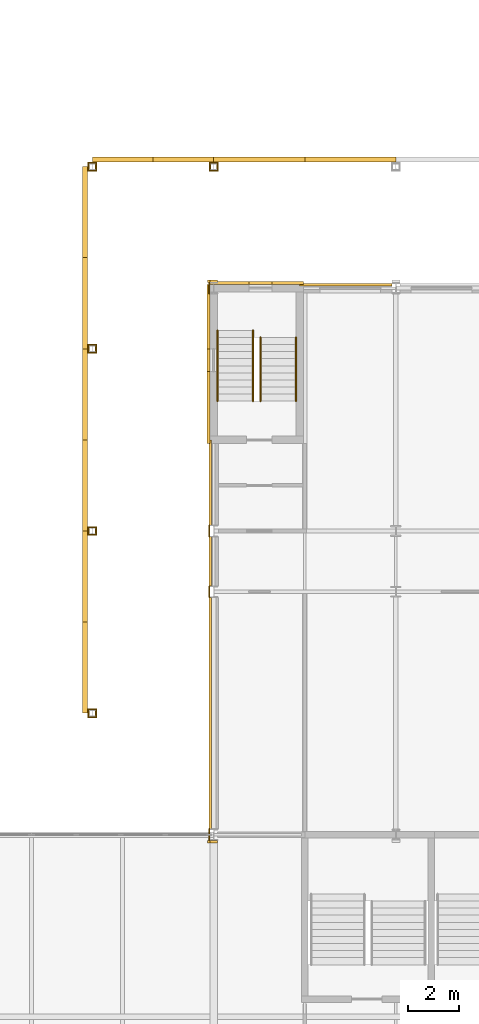
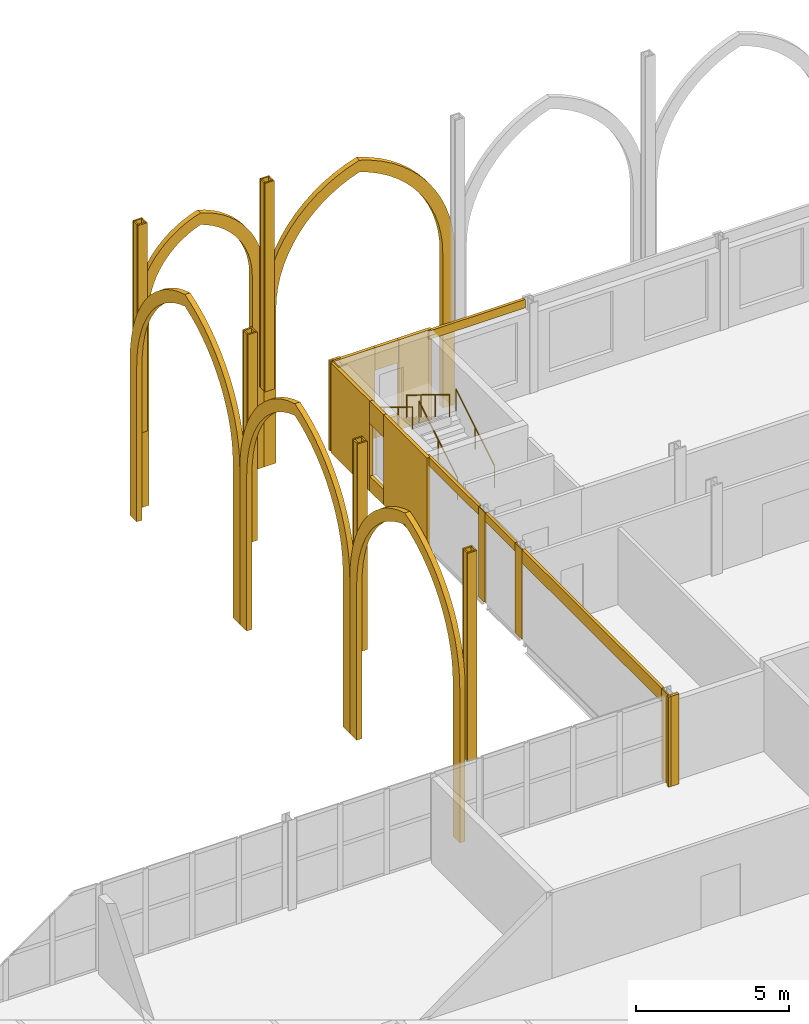
# One storey, part 107 of 124: 45 coverings, 4 railings.
"""IFC4 building model written with IfcOpenShell, lengths in metres."""

from ifc_helpers import new_model, si_unit, direction, frame, origin, origin_2d, place, context, subcontext, project, spatial, polyline, rectangle, circle, outline, extrude, material, layer, layer_set, type_object, element, save


model = new_model("IFC4")

# Units and contexts
model_context = context("Model", 3, precision=1e-05, world=origin(), true_north=direction((0.0, 1.0)))
body_context = subcontext(model_context, "Body", "Model", "MODEL_VIEW")
ifc_project = project(units=[si_unit("LENGTHUNIT", "METRE"), si_unit("AREAUNIT", "SQUARE_METRE"), si_unit("VOLUMEUNIT", "CUBIC_METRE"), si_unit("PLANEANGLEUNIT", "RADIAN"), si_unit("MASSUNIT", "GRAM", prefix="KILO")], contexts=[model_context])

# Site, building, storey
site_placement = place(None, origin())
site = spatial("IfcSite", under=ifc_project, at=site_placement, CompositionType="ELEMENT")
building_placement = place(site_placement, origin())
building = spatial("IfcBuilding", under=site, at=building_placement, Name="Kupolbacken Congress Centre", CompositionType="ELEMENT")
storey_placement = place(building_placement, frame((0.0, 0.0, 10.800048828125)))
storey = spatial("IfcBuildingStorey", under=building, at=storey_placement, Name="L03", CompositionType="ELEMENT", Elevation=10.800048828125)

# Coverings
ifc_material_1 = material(Name="Limestone cladding", Category="masonry")
ifc_layer = layer(ifc_material_1, 0.1201171875)
ifc_layer_set = layer_set([ifc_layer], Name="Limestone cladding")
covering_type = type_object("IfcCoveringType", Name="CV1 limestone cladding band 120", PredefinedType="CLADDING", material=ifc_layer_set)
covering_1_placement = place(storey_placement, frame((70.023193359375, 144.137451171875, 3.259765625), z_axis=(0.0, 0.0, 1.0), x_axis=(-1.0, 0.0, 0.0)))
element("IfcCovering", 1, at=covering_1_placement, inside=storey, type_object=covering_type, Name="E/T/N/L03/041/band", PredefinedType="CLADDING", context=body_context, shape_type="SweptSolid", body=[
    extrude(rectangle(XDim=3.646484375, YDim=0.10498046875, at=origin_2d()), origin(), (0.0, 0.0, 1.0), 0.340087890625),
])
covering_2_placement = place(storey_placement, frame((64.66259765625, 136.3125, 3.259765625), z_axis=(0.0, 0.0, 1.0), x_axis=(0.0, -1.0, 0.0)))
element("IfcCovering", 2, at=covering_2_placement, inside=storey, type_object=covering_type, Name="E/T/W/L03/044/band", PredefinedType="CLADDING", context=body_context, shape_type="SweptSolid", body=[
    extrude(rectangle(XDim=3.375, YDim=0.10498046875, at=origin_2d()), origin(), (0.0, 0.0, 1.0), 0.340087890625),
])
covering_3_placement = place(storey_placement, frame((64.66259765625, 133.199951171875, 3.259765625), z_axis=(0.0, 0.0, 1.0), x_axis=(0.0, -1.0, 0.0)))
element("IfcCovering", 3, at=covering_3_placement, inside=storey, type_object=covering_type, Name="E/T/W/L03/045/band", PredefinedType="CLADDING", context=body_context, shape_type="SweptSolid", body=[
    extrude(rectangle(XDim=1.949951171875, YDim=0.10498046875, at=origin_2d()), origin(), (0.0, 0.0, 1.0), 0.340087890625),
])
covering_4_placement = place(storey_placement, frame((64.66259765625, 127.199951171875, 3.059814453125), z_axis=(0.0, 0.0, 1.0), x_axis=(0.0, -1.0, 0.0)))
element("IfcCovering", 4, at=covering_4_placement, inside=storey, type_object=covering_type, Name="E/T/W/L03/046/band", PredefinedType="CLADDING", context=body_context, shape_type="SweptSolid", body=[
    extrude(rectangle(XDim=9.14990234375, YDim=0.10498046875, at=origin_2d()), origin(), (0.0, 0.0, 1.0), 0.5400390625),
])
for number, where, z_axis, x_axis, name in (
    (5, (60.0, 127.344970703125, -0.330078125), (0.0, 0.0, 1.0), (1.0, 0.0, 0.0), "E/T/portico/P/col60/cladnU"),
    (6, (60.0, 127.054931640625, -0.330078125), (0.0, 0.0, 1.0), (1.0, 0.0, 0.0), "E/T/portico/P/col60/cladsU"),
):
    element("IfcCovering", number, at=place(storey_placement, frame(where, z_axis=z_axis, x_axis=x_axis)), inside=storey, type_object=covering_type, Name=name, PredefinedType="CLADDING", context=body_context, shape_type="SweptSolid", body=[
        extrude(rectangle(XDim=0.360107421875, YDim=0.06005859375, at=origin_2d()), origin(), (0.0, 0.0, 1.0), 8.330078125),
    ])
for number, where, z_axis, x_axis, name in (
    (7, (60.14990234375, 127.199951171875, -0.330078125), (0.0, 0.0, 1.0), (1.0, 0.0, 0.0), "E/T/portico/P/col60/cladeU"),
    (8, (59.85009765625, 127.199951171875, -0.330078125), (0.0, 0.0, 1.0), (1.0, 0.0, 0.0), "E/T/portico/P/col60/cladwU"),
):
    element("IfcCovering", number, at=place(storey_placement, frame(where, z_axis=z_axis, x_axis=x_axis)), inside=storey, type_object=covering_type, Name=name, PredefinedType="CLADDING", context=body_context, shape_type="SweptSolid", body=[
        extrude(rectangle(XDim=0.06005859375, YDim=0.22998046875, at=origin_2d()), origin(), (0.0, 0.0, 1.0), 8.330078125),
    ])
for number, where, z_axis, x_axis, name in (
    (9, (60.0, 134.544921875, -0.330078125), (0.0, 0.0, 1.0), (1.0, 0.0, 0.0), "E/T/portico/W/col134.4/cladnU"),
    (10, (60.0, 134.2548828125, -0.330078125), (0.0, 0.0, 1.0), (1.0, 0.0, 0.0), "E/T/portico/W/col134.4/cladsU"),
):
    element("IfcCovering", number, at=place(storey_placement, frame(where, z_axis=z_axis, x_axis=x_axis)), inside=storey, type_object=covering_type, Name=name, PredefinedType="CLADDING", context=body_context, shape_type="SweptSolid", body=[
        extrude(rectangle(XDim=0.360107421875, YDim=0.06005859375, at=origin_2d()), origin(), (0.0, 0.0, 1.0), 8.330078125),
    ])
for number, where, z_axis, x_axis, name in (
    (11, (60.14990234375, 134.39990234375, -0.330078125), (0.0, 0.0, 1.0), (1.0, 0.0, 0.0), "E/T/portico/W/col134.4/cladeU"),
    (12, (59.85009765625, 134.39990234375, -0.330078125), (0.0, 0.0, 1.0), (1.0, 0.0, 0.0), "E/T/portico/W/col134.4/cladwU"),
):
    element("IfcCovering", number, at=place(storey_placement, frame(where, z_axis=z_axis, x_axis=x_axis)), inside=storey, type_object=covering_type, Name=name, PredefinedType="CLADDING", context=body_context, shape_type="SweptSolid", body=[
        extrude(rectangle(XDim=0.06005859375, YDim=0.22998046875, at=origin_2d()), origin(), (0.0, 0.0, 1.0), 8.330078125),
    ])
for number, where, z_axis, x_axis, name in (
    (13, (60.0, 141.7451171875, -0.330078125), (0.0, 0.0, 1.0), (1.0, 0.0, 0.0), "E/T/portico/W/col141.6/cladnU"),
    (14, (60.0, 141.455078125, -0.330078125), (0.0, 0.0, 1.0), (1.0, 0.0, 0.0), "E/T/portico/W/col141.6/cladsU"),
):
    element("IfcCovering", number, at=place(storey_placement, frame(where, z_axis=z_axis, x_axis=x_axis)), inside=storey, type_object=covering_type, Name=name, PredefinedType="CLADDING", context=body_context, shape_type="SweptSolid", body=[
        extrude(rectangle(XDim=0.360107421875, YDim=0.06005859375, at=origin_2d()), origin(), (0.0, 0.0, 1.0), 8.330078125),
    ])
for number, where, z_axis, x_axis, name in (
    (15, (60.14990234375, 141.60009765625, -0.330078125), (0.0, 0.0, 1.0), (1.0, 0.0, 0.0), "E/T/portico/W/col141.6/cladeU"),
    (16, (59.85009765625, 141.60009765625, -0.330078125), (0.0, 0.0, 1.0), (1.0, 0.0, 0.0), "E/T/portico/W/col141.6/cladwU"),
):
    element("IfcCovering", number, at=place(storey_placement, frame(where, z_axis=z_axis, x_axis=x_axis)), inside=storey, type_object=covering_type, Name=name, PredefinedType="CLADDING", context=body_context, shape_type="SweptSolid", body=[
        extrude(rectangle(XDim=0.06005859375, YDim=0.22998046875, at=origin_2d()), origin(), (0.0, 0.0, 1.0), 8.330078125),
    ])
for number, where, z_axis, x_axis, name in (
    (17, (60.0, 148.945068359375, -0.330078125), (0.0, 0.0, 1.0), (1.0, 0.0, 0.0), "E/T/portico/W/col148.8/cladnU"),
    (18, (60.0, 148.655029296875, -0.330078125), (0.0, 0.0, 1.0), (1.0, 0.0, 0.0), "E/T/portico/W/col148.8/cladsU"),
):
    element("IfcCovering", number, at=place(storey_placement, frame(where, z_axis=z_axis, x_axis=x_axis)), inside=storey, type_object=covering_type, Name=name, PredefinedType="CLADDING", context=body_context, shape_type="SweptSolid", body=[
        extrude(rectangle(XDim=0.360107421875, YDim=0.06005859375, at=origin_2d()), origin(), (0.0, 0.0, 1.0), 8.330078125),
    ])
for number, where, z_axis, x_axis, name in (
    (19, (60.14990234375, 148.800048828125, -0.330078125), (0.0, 0.0, 1.0), (1.0, 0.0, 0.0), "E/T/portico/W/col148.8/cladeU"),
    (20, (59.85009765625, 148.800048828125, -0.330078125), (0.0, 0.0, 1.0), (1.0, 0.0, 0.0), "E/T/portico/W/col148.8/cladwU"),
):
    element("IfcCovering", number, at=place(storey_placement, frame(where, z_axis=z_axis, x_axis=x_axis)), inside=storey, type_object=covering_type, Name=name, PredefinedType="CLADDING", context=body_context, shape_type="SweptSolid", body=[
        extrude(rectangle(XDim=0.06005859375, YDim=0.22998046875, at=origin_2d()), origin(), (0.0, 0.0, 1.0), 8.330078125),
    ])
for number, where, z_axis, x_axis, name in (
    (21, (64.800048828125, 148.945068359375, -0.330078125), (0.0, 0.0, 1.0), (1.0, 0.0, 0.0), "E/T/portico/N/col64.8/cladnU"),
    (22, (64.800048828125, 148.655029296875, -0.330078125), (0.0, 0.0, 1.0), (1.0, 0.0, 0.0), "E/T/portico/N/col64.8/cladsU"),
):
    element("IfcCovering", number, at=place(storey_placement, frame(where, z_axis=z_axis, x_axis=x_axis)), inside=storey, type_object=covering_type, Name=name, PredefinedType="CLADDING", context=body_context, shape_type="SweptSolid", body=[
        extrude(rectangle(XDim=0.360107421875, YDim=0.06005859375, at=origin_2d()), origin(), (0.0, 0.0, 1.0), 8.330078125),
    ])
for number, where, z_axis, x_axis, name in (
    (23, (64.949951171875, 148.800048828125, -0.330078125), (0.0, 0.0, 1.0), (1.0, 0.0, 0.0), "E/T/portico/N/col64.8/cladeU"),
    (24, (64.64990234375, 148.800048828125, -0.330078125), (0.0, 0.0, 1.0), (1.0, 0.0, 0.0), "E/T/portico/N/col64.8/cladwU"),
):
    element("IfcCovering", number, at=place(storey_placement, frame(where, z_axis=z_axis, x_axis=x_axis)), inside=storey, type_object=covering_type, Name=name, PredefinedType="CLADDING", context=body_context, shape_type="SweptSolid", body=[
        extrude(rectangle(XDim=0.06005859375, YDim=0.22998046875, at=origin_2d()), origin(), (0.0, 0.0, 1.0), 8.330078125),
    ])
covering_5_placement = place(storey_placement, frame((60.0, 148.97509765625, -3.60009765625), z_axis=(0.0, 1.0, 0.0), x_axis=(-1.0, 0.0, 0.0)))
element("IfcCovering", 25, at=covering_5_placement, inside=storey, type_object=covering_type, Name="E/T/portal/N/arch60", PredefinedType="CLADDING", context=body_context, shape_type="SweptSolid", body=[
    extrude(outline(polyline([(0.0, 0.0), (0.0, 7.800048828125), (-0.01416015625, 8.10595703125), (-0.05615234375, 8.409423828125), (-0.1259765625, 8.707763671875), (-0.222900390625, 8.998291015625), (-0.345947265625, 9.27880859375), (-0.494384765625, 9.546875), (-0.666748046875, 9.800048828125), (-0.861572265625, 10.036376953125), (-1.077392578125, 10.25390625), (-1.31201171875, 10.45068359375), (-1.56396484375, 10.625), (-1.830810546875, 10.775390625), (-2.110107421875, 10.90087890625), (-2.39990234375, 11.0), (-2.689697265625, 10.90087890625), (-2.96923828125, 10.775390625), (-3.236083984375, 10.625), (-3.488037109375, 10.45068359375), (-3.72265625, 10.25390625), (-3.9384765625, 10.036376953125), (-4.13330078125, 9.800048828125), (-4.3056640625, 9.546875), (-4.4541015625, 9.27880859375), (-4.5771484375, 8.998291015625), (-4.674072265625, 8.707763671875), (-4.743896484375, 8.409423828125), (-4.785888671875, 8.10595703125), (-4.800048828125, 7.800048828125), (-4.800048828125, 0.0), (-4.35009765625, 0.0), (-4.35009765625, 7.800048828125), (-4.338623046875, 8.055419921875), (-4.3046875, 8.30859375), (-4.24853515625, 8.557861328125), (-4.170654296875, 8.80126953125), (-4.0712890625, 9.03662109375), (-3.95166015625, 9.262451171875), (-3.8125, 9.476806640625), (-3.65478515625, 9.677734375), (-3.47998046875, 9.864013671875), (-3.289306640625, 10.0341796875), (-3.084228515625, 10.18701171875), (-2.86669921875, 10.32080078125), (-2.637939453125, 10.434814453125), (-2.39990234375, 10.528076171875), (-2.162109375, 10.434814453125), (-1.933349609375, 10.32080078125), (-1.7158203125, 10.18701171875), (-1.5107421875, 10.0341796875), (-1.320068359375, 9.864013671875), (-1.145263671875, 9.677734375), (-0.987548828125, 9.476806640625), (-0.848388671875, 9.262451171875), (-0.728759765625, 9.03662109375), (-0.62939453125, 8.80126953125), (-0.551513671875, 8.557861328125), (-0.4951171875, 8.30859375), (-0.461181640625, 8.055419921875), (-0.449951171875, 7.800048828125), (-0.449951171875, 0.0), (0.0, 0.0)])), origin(), (0.0, 0.0, 1.0), 0.199951171875),
])
covering_6_placement = place(storey_placement, frame((64.800048828125, 148.97509765625, -3.60009765625), z_axis=(0.0, 1.0, 0.0), x_axis=(-1.0, 0.0, 0.0)))
element("IfcCovering", 26, at=covering_6_placement, inside=storey, type_object=covering_type, Name="E/T/portal/N/arch64.8", PredefinedType="CLADDING", context=body_context, shape_type="SweptSolid", body=[
    extrude(outline(polyline([(0.0, 0.0), (0.0, 6.199951171875), (-0.02099609375, 6.658935546875), (-0.084228515625, 7.114013671875), (-0.18896484375, 7.5615234375), (-0.334228515625, 7.997314453125), (-0.518798828125, 8.418212890625), (-0.741455078125, 8.820068359375), (-1.0, 9.199951171875), (-1.292236328125, 9.554443359375), (-1.615966796875, 9.880615234375), (-1.968017578125, 10.17578125), (-2.345703125, 10.4375), (-2.74609375, 10.6630859375), (-3.165283203125, 10.851318359375), (-3.60009765625, 11.0), (-4.03466796875, 10.851318359375), (-4.4541015625, 10.6630859375), (-4.854248046875, 10.4375), (-5.23193359375, 10.17578125), (-5.583984375, 9.880615234375), (-5.90771484375, 9.554443359375), (-6.199951171875, 9.199951171875), (-6.45849609375, 8.820068359375), (-6.68115234375, 8.418212890625), (-6.86572265625, 7.997314453125), (-7.010986328125, 7.5615234375), (-7.11572265625, 7.114013671875), (-7.178955078125, 6.658935546875), (-7.199951171875, 6.199951171875), (-7.199951171875, 0.0), (-6.75, 0.0), (-6.75, 6.199951171875), (-6.731689453125, 6.6083984375), (-6.6767578125, 7.01318359375), (-6.585693359375, 7.411865234375), (-6.459228515625, 7.800537109375), (-6.29833984375, 8.17626953125), (-6.1044921875, 8.535888671875), (-5.879150390625, 8.876953125), (-5.6240234375, 9.1962890625), (-5.34130859375, 9.491455078125), (-5.033203125, 9.76025390625), (-4.702392578125, 10.0), (-4.351318359375, 10.209228515625), (-3.98291015625, 10.38623046875), (-3.60009765625, 10.529296875), (-3.217041015625, 10.38623046875), (-2.8486328125, 10.209228515625), (-2.49755859375, 10.0), (-2.166748046875, 9.76025390625), (-1.858642578125, 9.491455078125), (-1.575927734375, 9.1962890625), (-1.32080078125, 8.876953125), (-1.095458984375, 8.535888671875), (-0.901611328125, 8.17626953125), (-0.74072265625, 7.800537109375), (-0.6142578125, 7.411865234375), (-0.523193359375, 7.01318359375), (-0.468505859375, 6.6083984375), (-0.449951171875, 6.199951171875), (-0.449951171875, 0.0), (0.0, 0.0)])), origin(), (0.0, 0.0, 1.0), 0.199951171875),
])
covering_7_placement = place(storey_placement, frame((59.820068359375, 127.199951171875, -3.60009765625), z_axis=(-1.0, 0.0, 0.0), x_axis=(0.0, -1.0, 0.0)))
element("IfcCovering", 27, at=covering_7_placement, inside=storey, type_object=covering_type, Name="E/T/portal/W/arch127.2", PredefinedType="CLADDING", context=body_context, shape_type="SweptSolid", body=[
    extrude(outline(polyline([(0.0, 0.0), (0.0, 6.199951171875), (-0.02099609375, 6.658935546875), (-0.084228515625, 7.114013671875), (-0.18896484375, 7.5615234375), (-0.334228515625, 7.997314453125), (-0.518798828125, 8.418212890625), (-0.741455078125, 8.820068359375), (-1.0, 9.199951171875), (-1.292236328125, 9.554443359375), (-1.615966796875, 9.880615234375), (-1.968017578125, 10.17578125), (-2.345703125, 10.4375), (-2.74609375, 10.6630859375), (-3.165283203125, 10.851318359375), (-3.60009765625, 11.0), (-4.03466796875, 10.851318359375), (-4.4541015625, 10.6630859375), (-4.854248046875, 10.4375), (-5.23193359375, 10.17578125), (-5.583984375, 9.880615234375), (-5.90771484375, 9.554443359375), (-6.199951171875, 9.199951171875), (-6.45849609375, 8.820068359375), (-6.68115234375, 8.418212890625), (-6.86572265625, 7.997314453125), (-7.010986328125, 7.5615234375), (-7.11572265625, 7.114013671875), (-7.178955078125, 6.658935546875), (-7.199951171875, 6.199951171875), (-7.199951171875, 0.0), (-6.75, 0.0), (-6.75, 6.199951171875), (-6.731689453125, 6.6083984375), (-6.6767578125, 7.01318359375), (-6.585693359375, 7.411865234375), (-6.459228515625, 7.800537109375), (-6.29833984375, 8.17626953125), (-6.1044921875, 8.535888671875), (-5.879150390625, 8.876953125), (-5.6240234375, 9.1962890625), (-5.34130859375, 9.491455078125), (-5.033203125, 9.76025390625), (-4.702392578125, 10.0), (-4.351318359375, 10.209228515625), (-3.98291015625, 10.38623046875), (-3.60009765625, 10.529296875), (-3.217041015625, 10.38623046875), (-2.8486328125, 10.209228515625), (-2.49755859375, 10.0), (-2.166748046875, 9.76025390625), (-1.858642578125, 9.491455078125), (-1.575927734375, 9.1962890625), (-1.32080078125, 8.876953125), (-1.095458984375, 8.535888671875), (-0.901611328125, 8.17626953125), (-0.74072265625, 7.800537109375), (-0.6142578125, 7.411865234375), (-0.523193359375, 7.01318359375), (-0.468505859375, 6.6083984375), (-0.449951171875, 6.199951171875), (-0.449951171875, 0.0), (0.0, 0.0)])), origin(), (0.0, 0.0, 1.0), 0.199951171875),
])
covering_8_placement = place(storey_placement, frame((59.820068359375, 134.39990234375, -3.60009765625), z_axis=(-1.0, 0.0, 0.0), x_axis=(0.0, -1.0, 0.0)))
element("IfcCovering", 28, at=covering_8_placement, inside=storey, type_object=covering_type, Name="E/T/portal/W/arch134.4", PredefinedType="CLADDING", context=body_context, shape_type="SweptSolid", body=[
    extrude(outline(polyline([(0.0, 0.0), (0.0, 6.199951171875), (-0.02099609375, 6.658935546875), (-0.084228515625, 7.114013671875), (-0.18896484375, 7.5615234375), (-0.334228515625, 7.997314453125), (-0.518798828125, 8.418212890625), (-0.741455078125, 8.820068359375), (-1.0, 9.199951171875), (-1.292236328125, 9.554443359375), (-1.615966796875, 9.880615234375), (-1.968017578125, 10.17578125), (-2.345703125, 10.4375), (-2.74609375, 10.6630859375), (-3.165283203125, 10.851318359375), (-3.60009765625, 11.0), (-4.03466796875, 10.851318359375), (-4.4541015625, 10.6630859375), (-4.854248046875, 10.4375), (-5.23193359375, 10.17578125), (-5.583984375, 9.880615234375), (-5.90771484375, 9.554443359375), (-6.199951171875, 9.199951171875), (-6.45849609375, 8.820068359375), (-6.68115234375, 8.418212890625), (-6.86572265625, 7.997314453125), (-7.010986328125, 7.5615234375), (-7.11572265625, 7.114013671875), (-7.178955078125, 6.658935546875), (-7.199951171875, 6.199951171875), (-7.199951171875, 0.0), (-6.75, 0.0), (-6.75, 6.199951171875), (-6.731689453125, 6.6083984375), (-6.6767578125, 7.01318359375), (-6.585693359375, 7.411865234375), (-6.459228515625, 7.800537109375), (-6.29833984375, 8.17626953125), (-6.1044921875, 8.535888671875), (-5.879150390625, 8.876953125), (-5.6240234375, 9.1962890625), (-5.34130859375, 9.491455078125), (-5.033203125, 9.76025390625), (-4.702392578125, 10.0), (-4.351318359375, 10.209228515625), (-3.98291015625, 10.38623046875), (-3.60009765625, 10.529296875), (-3.217041015625, 10.38623046875), (-2.8486328125, 10.209228515625), (-2.49755859375, 10.0), (-2.166748046875, 9.76025390625), (-1.858642578125, 9.491455078125), (-1.575927734375, 9.1962890625), (-1.32080078125, 8.876953125), (-1.095458984375, 8.535888671875), (-0.901611328125, 8.17626953125), (-0.74072265625, 7.800537109375), (-0.6142578125, 7.411865234375), (-0.523193359375, 7.01318359375), (-0.468505859375, 6.6083984375), (-0.449951171875, 6.199951171875), (-0.449951171875, 0.0), (0.0, 0.0)])), origin(), (0.0, 0.0, 1.0), 0.199951171875),
])
covering_9_placement = place(storey_placement, frame((59.820068359375, 141.60009765625, -3.60009765625), z_axis=(-1.0, 0.0, 0.0), x_axis=(0.0, -1.0, 0.0)))
element("IfcCovering", 29, at=covering_9_placement, inside=storey, type_object=covering_type, Name="E/T/portal/W/arch141.6", PredefinedType="CLADDING", context=body_context, shape_type="SweptSolid", body=[
    extrude(outline(polyline([(0.0, 0.0), (0.0, 6.199951171875), (-0.02099609375, 6.658935546875), (-0.084228515625, 7.114013671875), (-0.18896484375, 7.5615234375), (-0.334228515625, 7.997314453125), (-0.518798828125, 8.418212890625), (-0.741455078125, 8.820068359375), (-1.0, 9.199951171875), (-1.292236328125, 9.554443359375), (-1.615966796875, 9.880615234375), (-1.968017578125, 10.17578125), (-2.345703125, 10.4375), (-2.74609375, 10.6630859375), (-3.165283203125, 10.851318359375), (-3.60009765625, 11.0), (-4.03466796875, 10.851318359375), (-4.4541015625, 10.6630859375), (-4.854248046875, 10.4375), (-5.23193359375, 10.17578125), (-5.583984375, 9.880615234375), (-5.90771484375, 9.554443359375), (-6.199951171875, 9.199951171875), (-6.45849609375, 8.820068359375), (-6.68115234375, 8.418212890625), (-6.86572265625, 7.997314453125), (-7.010986328125, 7.5615234375), (-7.11572265625, 7.114013671875), (-7.178955078125, 6.658935546875), (-7.199951171875, 6.199951171875), (-7.199951171875, 0.0), (-6.75, 0.0), (-6.75, 6.199951171875), (-6.731689453125, 6.6083984375), (-6.6767578125, 7.01318359375), (-6.585693359375, 7.411865234375), (-6.459228515625, 7.800537109375), (-6.29833984375, 8.17626953125), (-6.1044921875, 8.535888671875), (-5.879150390625, 8.876953125), (-5.6240234375, 9.1962890625), (-5.34130859375, 9.491455078125), (-5.033203125, 9.76025390625), (-4.702392578125, 10.0), (-4.351318359375, 10.209228515625), (-3.98291015625, 10.38623046875), (-3.60009765625, 10.529296875), (-3.217041015625, 10.38623046875), (-2.8486328125, 10.209228515625), (-2.49755859375, 10.0), (-2.166748046875, 9.76025390625), (-1.858642578125, 9.491455078125), (-1.575927734375, 9.1962890625), (-1.32080078125, 8.876953125), (-1.095458984375, 8.535888671875), (-0.901611328125, 8.17626953125), (-0.74072265625, 7.800537109375), (-0.6142578125, 7.411865234375), (-0.523193359375, 7.01318359375), (-0.468505859375, 6.6083984375), (-0.449951171875, 6.199951171875), (-0.449951171875, 0.0), (0.0, 0.0)])), origin(), (0.0, 0.0, 1.0), 0.199951171875),
])
covering_10_placement = place(storey_placement, frame((64.60009765625, 122.125, 0.0), z_axis=(0.0, 0.0, 1.0), x_axis=(1.0, 0.0, 0.0)))
element("IfcCovering", 30, at=covering_10_placement, inside=storey, type_object=covering_type, Name="E/T/pilaster/L03/C-T-10T/corner", PredefinedType="CLADDING", context=body_context, shape_type="SweptSolid", body=[
    extrude(rectangle(XDim=0.10009765625, YDim=0.10009765625, at=origin_2d()), origin(), (0.0, 0.0, 1.0), 3.60009765625),
])
covering_11_placement = place(storey_placement, frame((64.800048828125, 122.125, 0.0), z_axis=(0.0, 0.0, 1.0), x_axis=(1.0, 0.0, 0.0)))
element("IfcCovering", 31, at=covering_11_placement, inside=storey, type_object=covering_type, Name="E/T/pilaster/L03/C-T-10T/S", PredefinedType="CLADDING", context=body_context, shape_type="SweptSolid", body=[
    extrude(rectangle(XDim=0.300048828125, YDim=0.10009765625, at=origin_2d()), origin(), (0.0, 0.0, 1.0), 3.60009765625),
])
for number, where, z_axis, x_axis, name in (
    (32, (64.6298828125, 122.39990234375, 0.0), (0.0, 0.0, 1.0), (1.0, 0.0, 0.0), "E/T/pilaster/L03/C-T-10T/W"),
    (33, (64.6298828125, 132.0, 0.0), (0.0, 0.0, 1.0), (1.0, 0.0, 0.0), "E/T/pilaster/L03/C-T-10U+2400/W"),
    (34, (64.6298828125, 134.39990234375, 0.0), (0.0, 0.0, 1.0), (1.0, 0.0, 0.0), "E/T/pilaster/L03/C-T-10U+4800/W"),
):
    element("IfcCovering", number, at=place(storey_placement, frame(where, z_axis=z_axis, x_axis=x_axis)), inside=storey, type_object=covering_type, Name=name, PredefinedType="CLADDING", context=body_context, shape_type="SweptSolid", body=[
        extrude(rectangle(XDim=0.0400390625, YDim=0.449951171875, at=origin_2d()), origin(), (0.0, 0.0, 1.0), 3.60009765625),
    ])
covering_12_placement = place(storey_placement, frame((64.60009765625, 144.27490234375, 0.0), z_axis=(0.0, 0.0, 1.0), x_axis=(1.0, 0.0, 0.0)))
element("IfcCovering", 35, at=covering_12_placement, inside=storey, type_object=covering_type, Name="E/T/pilaster/L03/C-T-10W/corner", PredefinedType="CLADDING", context=body_context, shape_type="SweptSolid", body=[
    extrude(rectangle(XDim=0.10009765625, YDim=0.10009765625, at=origin_2d()), origin(), (0.0, 0.0, 1.0), 3.60009765625),
])
covering_13_placement = place(storey_placement, frame((64.800048828125, 144.27490234375, 0.0), z_axis=(0.0, 0.0, 1.0), x_axis=(1.0, 0.0, 0.0)))
element("IfcCovering", 36, at=covering_13_placement, inside=storey, type_object=covering_type, Name="E/T/pilaster/L03/C-T-10W/N", PredefinedType="CLADDING", context=body_context, shape_type="SweptSolid", body=[
    extrude(rectangle(XDim=0.300048828125, YDim=0.10009765625, at=origin_2d()), origin(), (0.0, 0.0, 1.0), 3.60009765625),
])
covering_14_placement = place(storey_placement, frame((64.6298828125, 144.0, 0.0), z_axis=(0.0, 0.0, 1.0), x_axis=(1.0, 0.0, 0.0)))
element("IfcCovering", 37, at=covering_14_placement, inside=storey, type_object=covering_type, Name="E/T/pilaster/L03/C-T-10W/W", PredefinedType="CLADDING", context=body_context, shape_type="SweptSolid", body=[
    extrude(rectangle(XDim=0.0400390625, YDim=0.449951171875, at=origin_2d()), origin(), (0.0, 0.0, 1.0), 3.60009765625),
])
covering_15_placement = place(storey_placement, frame((64.590087890625, 142.875, 0.0), z_axis=(0.0, 0.0, 1.0), x_axis=(0.0, -1.0, 0.0)))
element("IfcCovering", 38, at=covering_15_placement, inside=storey, type_object=covering_type, Name="S/core/L03/124/face0", PredefinedType="CLADDING", context=body_context, shape_type="SweptSolid", body=[
    extrude(rectangle(XDim=2.550048828125, YDim=0.1201171875, at=origin_2d()), origin(), (0.0, 0.0, 1.0), 3.60009765625),
])
covering_16_placement = place(storey_placement, frame((64.590087890625, 139.27490234375, 0.0), z_axis=(0.0, 0.0, 1.0), x_axis=(0.0, -1.0, 0.0)))
element("IfcCovering", 39, at=covering_16_placement, inside=storey, type_object=covering_type, Name="S/core/L03/124/face1", PredefinedType="CLADDING", context=body_context, shape_type="SweptSolid", body=[
    extrude(rectangle(XDim=2.85009765625, YDim=0.1201171875, at=origin_2d()), origin(), (0.0, 0.0, 1.0), 3.60009765625),
])
covering_17_placement = place(storey_placement, frame((64.590087890625, 141.14990234375, 0.0), z_axis=(0.0, 0.0, 1.0), x_axis=(0.0, -1.0, 0.0)))
element("IfcCovering", 40, at=covering_17_placement, inside=storey, type_object=covering_type, Name="S/core/L03/124/face2", PredefinedType="CLADDING", context=body_context, shape_type="SweptSolid", body=[
    extrude(rectangle(XDim=0.89990234375, YDim=0.1201171875, at=origin_2d()), origin(), (0.0, 0.0, 1.0), 0.60009765625),
])
covering_18_placement = place(storey_placement, frame((64.590087890625, 141.14990234375, 2.699951171875), z_axis=(0.0, 0.0, 1.0), x_axis=(0.0, -1.0, 0.0)))
element("IfcCovering", 41, at=covering_18_placement, inside=storey, type_object=covering_type, Name="S/core/L03/124/face3", PredefinedType="CLADDING", context=body_context, shape_type="SweptSolid", body=[
    extrude(rectangle(XDim=0.89990234375, YDim=0.1201171875, at=origin_2d()), origin(), (0.0, 0.0, 1.0), 0.89990234375),
])
covering_19_placement = place(storey_placement, frame((67.72509765625, 144.2099609375, 0.0), z_axis=(0.0, 0.0, 1.0), x_axis=(-1.0, 0.0, 0.0)))
element("IfcCovering", 42, at=covering_19_placement, inside=storey, type_object=covering_type, Name="S/core/L03/125/face0", PredefinedType="CLADDING", context=body_context, shape_type="SweptSolid", body=[
    extrude(rectangle(XDim=1.25, YDim=0.1201171875, at=origin_2d()), origin(), (0.0, 0.0, 1.0), 3.60009765625),
])
covering_20_placement = place(storey_placement, frame((65.425048828125, 144.2099609375, 0.0), z_axis=(0.0, 0.0, 1.0), x_axis=(-1.0, 0.0, 0.0)))
element("IfcCovering", 43, at=covering_20_placement, inside=storey, type_object=covering_type, Name="S/core/L03/125/face1", PredefinedType="CLADDING", context=body_context, shape_type="SweptSolid", body=[
    extrude(rectangle(XDim=1.550048828125, YDim=0.1201171875, at=origin_2d()), origin(), (0.0, 0.0, 1.0), 3.60009765625),
])
covering_21_placement = place(storey_placement, frame((66.64990234375, 144.2099609375, 0.0), z_axis=(0.0, 0.0, 1.0), x_axis=(-1.0, 0.0, 0.0)))
element("IfcCovering", 44, at=covering_21_placement, inside=storey, type_object=covering_type, Name="S/core/L03/125/face2", PredefinedType="CLADDING", context=body_context, shape_type="SweptSolid", body=[
    extrude(rectangle(XDim=0.89990234375, YDim=0.1201171875, at=origin_2d()), origin(), (0.0, 0.0, 1.0), 0.60009765625),
])
covering_22_placement = place(storey_placement, frame((66.64990234375, 144.2099609375, 2.699951171875), z_axis=(0.0, 0.0, 1.0), x_axis=(-1.0, 0.0, 0.0)))
element("IfcCovering", 45, at=covering_22_placement, inside=storey, type_object=covering_type, Name="S/core/L03/125/face3", PredefinedType="CLADDING", context=body_context, shape_type="SweptSolid", body=[
    extrude(rectangle(XDim=0.89990234375, YDim=0.1201171875, at=origin_2d()), origin(), (0.0, 0.0, 1.0), 0.89990234375),
])

# Railings
ifc_material_2 = material(Name="Steel S235", Category="steel")
railing_type = type_object("IfcRailingType", Name="RL3 handrail wall-mounted 900", PredefinedType="HANDRAIL", material=ifc_material_2)
for number, where, name in (
    (46, (66.64990234375, 139.530029296875, 0.17138671875), "C/stair/TS3/L03/HR1L"),
    (47, (68.050048828125, 139.530029296875, 0.17138671875), "C/stair/TS3/L03/HR1R"),
):
    element("IfcRailing", number, at=place(storey_placement, frame(where)), inside=storey, type_object=railing_type, Name=name, PredefinedType="HANDRAIL", context=body_context, shape_type="SweptSolid", body=[
        extrude(circle(Radius=0.02392578125, at=origin_2d()), frame((0.0, 0.0, 0.8759765625), z_axis=(0.0, 0.852836285881, 0.522178388565), x_axis=(-1.0, 0.0, 0.0)), (0.0, 0.0, 1.0), 2.954833984375),
        extrude(circle(Radius=0.02099609375, at=origin_2d()), origin(), (0.0, 0.0, 1.0), 0.851806640625),
        extrude(circle(Radius=0.02099609375, at=origin_2d()), frame((0.0, 1.260009765625, 0.771484375)), (0.0, 0.0, 1.0), 0.851806640625),
        extrude(circle(Radius=0.02099609375, at=origin_2d()), frame((0.0, 2.52001953125, 1.54296875)), (0.0, 0.0, 1.0), 0.851806640625),
    ])
for number, where, name in (
    (48, (66.35009765625, 142.330078125, 1.8857421875), "C/stair/TS3/L03/HR2L"),
    (49, (64.949951171875, 142.330078125, 1.8857421875), "C/stair/TS3/L03/HR2R"),
):
    element("IfcRailing", number, at=place(storey_placement, frame(where)), inside=storey, type_object=railing_type, Name=name, PredefinedType="HANDRAIL", context=body_context, shape_type="SweptSolid", body=[
        extrude(circle(Radius=0.02392578125, at=origin_2d()), frame((0.0, 0.0, 0.8759765625), z_axis=(0.0, -0.852879011914, 0.522108600807), x_axis=(1.0, 0.0, 0.0)), (0.0, 0.0, 1.0), 3.282958984375),
        extrude(circle(Radius=0.02099609375, at=origin_2d()), origin(), (0.0, 0.0, 1.0), 0.851806640625),
        extrude(circle(Radius=0.02099609375, at=origin_2d()), frame((0.0, -0.933349609375, 0.5712890625)), (0.0, 0.0, 1.0), 0.851806640625),
        extrude(circle(Radius=0.02099609375, at=origin_2d()), frame((0.0, -1.86669921875, 1.142822265625)), (0.0, 0.0, 1.0), 0.851806640625),
        extrude(circle(Radius=0.02099609375, at=origin_2d()), frame((0.0, -2.800048828125, 1.714111328125)), (0.0, 0.0, 1.0), 0.851806640625),
    ])

save(model, "model.ifc")
